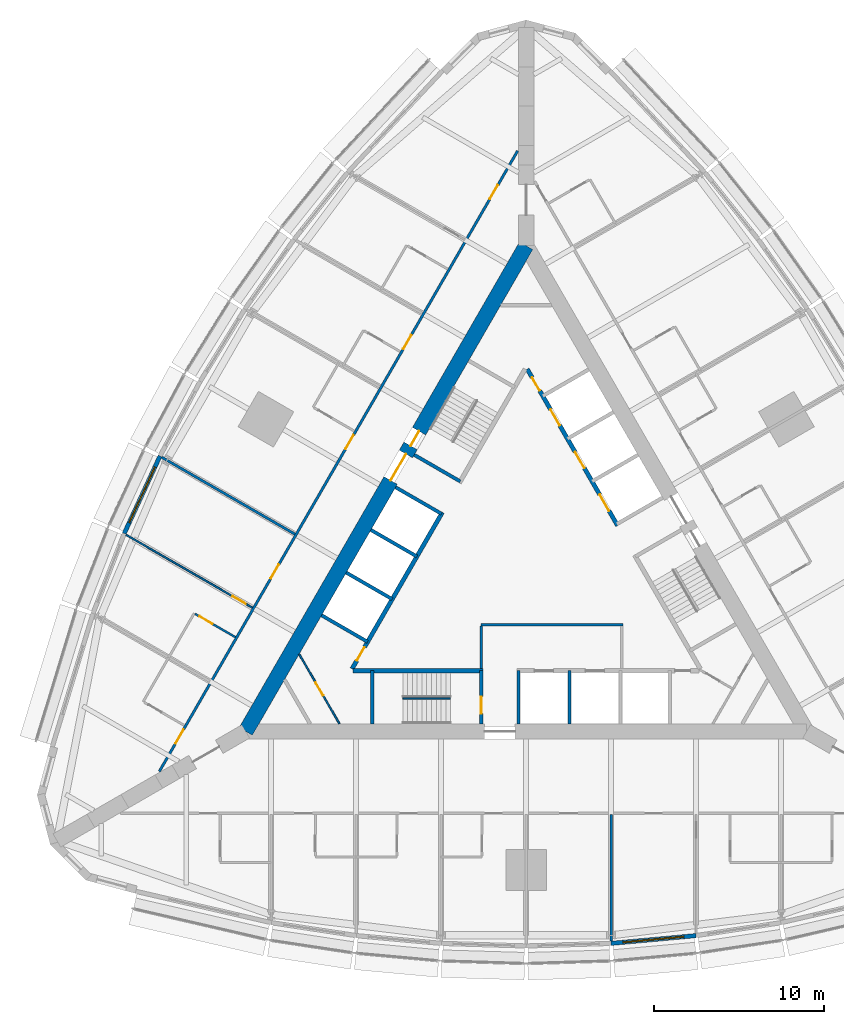
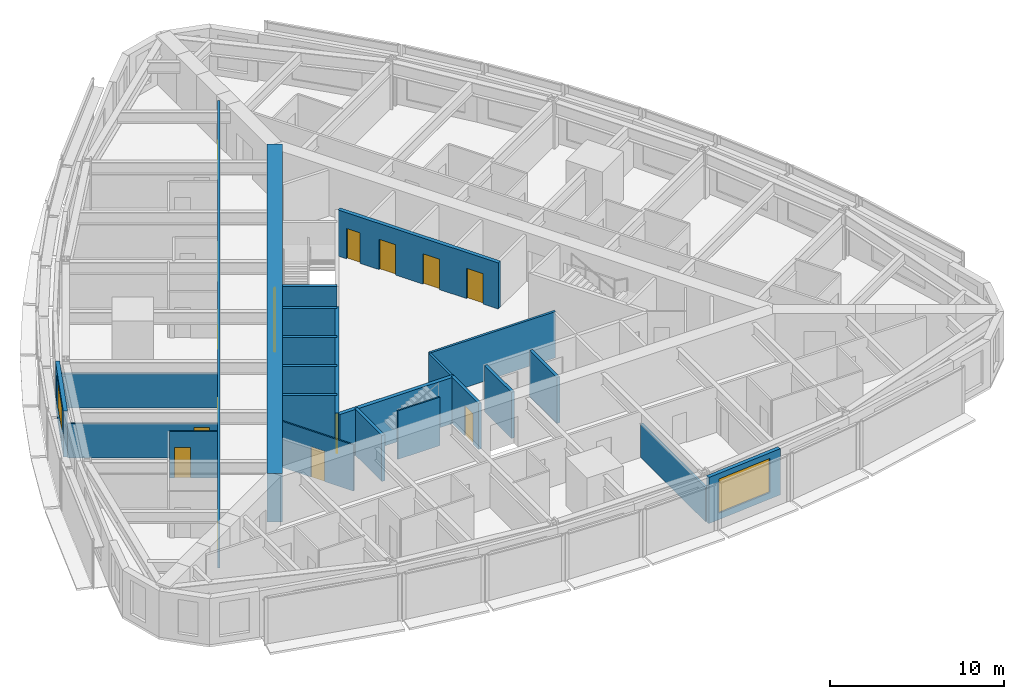
# One storey, part 9 of 14: 24 walls, 16 doors, 2 windows, 18 openings.
"""IFC4 building model written with IfcOpenShell, lengths in metres."""

from ifc_helpers import new_model, si_unit, direction, frame, frame_2d, origin, place, context, subcontext, project, spatial, rectangle, extrude, material, layer, layer_set, type_object, element, fill, save


model = new_model("IFC4")

# Units and contexts
model_context = context("Model", 3, precision=1e-05, world=origin(), true_north=direction((0.0, 1.0)))
body_context = subcontext(model_context, "Body", "Model", "MODEL_VIEW")
ifc_project = project(units=[si_unit("LENGTHUNIT", "METRE"), si_unit("AREAUNIT", "SQUARE_METRE"), si_unit("VOLUMEUNIT", "CUBIC_METRE"), si_unit("PLANEANGLEUNIT", "RADIAN"), si_unit("MASSUNIT", "GRAM", prefix="KILO")], contexts=[model_context])

# Site, building, storey
site_placement = place(None, origin())
site = spatial("IfcSite", under=ifc_project, at=site_placement, CompositionType="ELEMENT")
building_placement = place(site_placement, origin())
building = spatial("IfcBuilding", under=site, at=building_placement, Name="Trikona Tower", CompositionType="ELEMENT")
storey_placement = place(building_placement, frame((0.0, 0.0, 65.89990234375)))
storey = spatial("IfcBuildingStorey", under=building, at=storey_placement, Name="L16", CompositionType="ELEMENT", Elevation=65.89990234375)

# Wall, opening, door
ifc_material_1 = material(Name="Metal stud and cement board", Category="gypsum")
ifc_layer_1 = layer(ifc_material_1, 0.1201171875)
ifc_layer_set_1 = layer_set([ifc_layer_1], Name="Bathroom wall 120")
wall_type_1 = type_object("IfcWallType", Name="Bathroom wall 120", PredefinedType="PLUMBINGWALL", material=ifc_layer_set_1)
wall_1_placement = place(storey_placement, frame((-17.10791015625, -3.979248046875, 0.0), z_axis=(0.0, 0.0, 1.0), x_axis=(-0.865997131366, 0.500048966069, 0.0)))
wall_1 = element("IfcWall", 1, at=wall_1_placement, inside=storey, type_object=wall_type_1, Name="Bathroom wall 1616.1", PredefinedType="PLUMBINGWALL", context=body_context, shape_type="SweptSolid", body=[
    extrude(rectangle(XDim=2.739990234375, YDim=0.1201171875, at=frame_2d((1.3701171875, 0.0))), origin(), (0.0, 0.0, 1.0), 3.235107421875),
])
opening_1_placement = place(wall_1_placement, frame((1.550048828125, 0.0, 0.0)))
opening_1 = element("IfcOpeningElement", 2, at=opening_1_placement, cuts=wall_1, Name="Opening D2", PredefinedType="OPENING", context=body_context, shape_type="SweptSolid", body=[
    extrude(rectangle(XDim=0.89990234375, YDim=2.1298828125, at=frame_2d((0.449951171875, 1.06494140625))), frame((0.0, 0.070068359375, 0.0), z_axis=(0.0, -1.0, 0.0), x_axis=(1.0, 0.0, 0.0)), (0.0, 0.0, 1.0), 0.14013671875),
])
ifc_material_2 = material(Name="Steel door frame with solid-core timber leaf", Category="steel")
door_type_1 = type_object("IfcDoorType", Name="Bathroom door 900x2130", OperationType="SLIDING_TO_LEFT", PredefinedType="DOOR", material=ifc_material_2)
door_1_placement = place(opening_1_placement, origin())
door_1 = element("IfcDoor", 3, at=door_1_placement, inside=storey, type_object=door_type_1, Name="Bathroom door 1616.1", OperationType="SLIDING_TO_LEFT", OverallHeight=2.1298828125, OverallWidth=0.89990234375, PredefinedType="DOOR", context=body_context, shape_type="SweptSolid", body=[
    extrude(rectangle(XDim=0.89990234375, YDim=2.1298828125, at=frame_2d((0.449951171875, 1.06494140625))), frame((0.0, 0.02490234375, 0.0), z_axis=(0.0, -1.0, 0.0), x_axis=(1.0, 0.0, 0.0)), (0.0, 0.0, 1.0), 0.050048828125),
])
fill(opening_1, door_1)

# Wall, openings, doors
ifc_material_3 = material(Name="Concrete f'c 10000 psi", Category="concrete")
ifc_layer_2 = layer(ifc_material_3, 0.89990234375)
ifc_layer_set_2 = layer_set([ifc_layer_2], Name="Core wall 900")
wall_type_2 = type_object("IfcWallType", Name="Core wall 900", PredefinedType="SHEAR", material=ifc_layer_set_2)
wall_2_placement = place(storey_placement, frame((0.0, 19.052490234375, 0.0), z_axis=(0.0, 0.0, 1.0), x_axis=(-0.499999749417, -0.866025548458, 0.0)))
wall_2 = element("IfcWall", 4, at=wall_2_placement, inside=storey, type_object=wall_type_2, Name="Core wall C", PredefinedType="SHEAR", context=body_context, shape_type="SweptSolid", body=[
    extrude(rectangle(XDim=33.0, YDim=0.89990234375, at=frame_2d((16.5, 0.0))), origin(), (0.0, 0.0, 1.0), 3.400146484375),
])
opening_2_placement = place(wall_2_placement, frame((14.14990234375, 0.0, 0.0)))
opening_2 = element("IfcOpeningElement", 5, at=opening_2_placement, cuts=wall_2, Name="Opening D6", PredefinedType="OPENING", context=body_context, shape_type="SweptSolid", body=[
    extrude(rectangle(XDim=1.800048828125, YDim=2.1298828125, at=frame_2d((0.89990234375, 1.06494140625))), frame((0.0, 0.4599609375, 0.0), z_axis=(0.0, -1.0, 0.0), x_axis=(1.0, 0.0, 0.0)), (0.0, 0.0, 1.0), 0.919921875),
])
opening_3_placement = place(wall_2_placement, frame((12.60009765625, 0.0, 0.0)))
opening_3 = element("IfcOpeningElement", 6, at=opening_3_placement, cuts=wall_2, Name="Opening D5", PredefinedType="OPENING", context=body_context, shape_type="SweptSolid", body=[
    extrude(rectangle(XDim=1.0, YDim=2.1298828125, at=frame_2d((0.5, 1.06494140625))), frame((0.0, 0.4599609375, 0.0), z_axis=(0.0, -1.0, 0.0), x_axis=(1.0, 0.0, 0.0)), (0.0, 0.0, 1.0), 0.919921875),
])
ifc_material_4 = material(Name="Hollow metal door and frame", Category="steel")
door_type_2 = type_object("IfcDoorType", Name="Lobby door pair 1800x2130", OperationType="DOUBLE_DOOR_SINGLE_SWING", PredefinedType="DOOR", material=ifc_material_4)
door_2_placement = place(opening_2_placement, origin())
door_2 = element("IfcDoor", 7, at=door_2_placement, inside=storey, type_object=door_type_2, Name="Lift lobby door C", OperationType="DOUBLE_DOOR_SINGLE_SWING", OverallHeight=2.1298828125, OverallWidth=1.800048828125, PredefinedType="DOOR", context=body_context, shape_type="SweptSolid", body=[
    extrude(rectangle(XDim=1.800048828125, YDim=2.1298828125, at=frame_2d((0.89990234375, 1.06494140625))), frame((0.0, 0.02490234375, 0.0), z_axis=(0.0, -1.0, 0.0), x_axis=(1.0, 0.0, 0.0)), (0.0, 0.0, 1.0), 0.050048828125),
])
fill(opening_2, door_2)
ifc_material_5 = material(Name="Hollow metal door and frame", Category="steel")
door_type_3 = type_object("IfcDoorType", Name="Stair door 1000x2130", OperationType="SINGLE_SWING_LEFT", PredefinedType="DOOR", material=ifc_material_5)
door_3_placement = place(opening_3_placement, origin())
door_3 = element("IfcDoor", 8, at=door_3_placement, inside=storey, type_object=door_type_3, Name="Stair C door", OperationType="SINGLE_SWING_RIGHT", OverallHeight=2.1298828125, OverallWidth=1.0, PredefinedType="DOOR", context=body_context, shape_type="SweptSolid", body=[
    extrude(rectangle(XDim=1.0, YDim=2.1298828125, at=frame_2d((0.5, 1.06494140625))), frame((0.0, 0.02490234375, 0.0), z_axis=(0.0, -1.0, 0.0), x_axis=(1.0, 0.0, 0.0)), (0.0, 0.0, 1.0), 0.050048828125),
])
fill(opening_3, door_3)

ifc_material_6 = material(Name="Metal stud and gypsum board, 1-hour", Category="gypsum")
ifc_layer_3 = layer(ifc_material_6, 0.14990234375)
ifc_layer_set_3 = layer_set([ifc_layer_3], Name="Corridor wall 150")
wall_type_3 = type_object("IfcWallType", Name="Corridor wall 150", PredefinedType="PARTITIONING", material=ifc_layer_set_3)
wall_3_placement = place(storey_placement, frame((-0.5, 24.636474609375, 0.0), z_axis=(0.0, 0.0, 1.0), x_axis=(-0.500001915564, -0.86602429783, 0.0)))
wall_3 = element("IfcWall", 9, at=wall_3_placement, inside=storey, type_object=wall_type_3, Name="Corridor wall L16-3", PredefinedType="PARTITIONING", context=body_context, shape_type="SweptSolid", body=[
    extrude(rectangle(XDim=42.171630859375, YDim=0.14990234375, at=frame_2d((21.0859375, 0.0))), origin(), (0.0, 0.0, 1.0), 3.235107421875),
])
opening_4_placement = place(wall_3_placement, frame((2.337646484375, 0.0, 0.0)))
opening_4 = element("IfcOpeningElement", 10, at=opening_4_placement, cuts=wall_3, Name="Opening D1", PredefinedType="OPENING", context=body_context, shape_type="SweptSolid", body=[
    extrude(rectangle(XDim=0.949951171875, YDim=2.1298828125, at=frame_2d((0.47509765625, 1.06494140625))), frame((0.0, 0.0849609375, 0.0), z_axis=(0.0, -1.0, 0.0), x_axis=(1.0, 0.0, 0.0)), (0.0, 0.0, 1.0), 0.169921875),
])
opening_5_placement = place(wall_3_placement, frame((12.510986328125, 0.0, 0.0)))
opening_5 = element("IfcOpeningElement", 11, at=opening_5_placement, cuts=wall_3, Name="Opening D1", PredefinedType="OPENING", context=body_context, shape_type="SweptSolid", body=[
    extrude(rectangle(XDim=0.949951171875, YDim=2.1298828125, at=frame_2d((0.47509765625, 1.06494140625))), frame((0.0, 0.0849609375, 0.0), z_axis=(0.0, -1.0, 0.0), x_axis=(1.0, 0.0, 0.0)), (0.0, 0.0, 1.0), 0.169921875),
])
opening_6_placement = place(wall_3_placement, frame((19.310791015625, 0.0, 0.0)))
opening_6 = element("IfcOpeningElement", 12, at=opening_6_placement, cuts=wall_3, Name="Opening D1", PredefinedType="OPENING", context=body_context, shape_type="SweptSolid", body=[
    extrude(rectangle(XDim=0.949951171875, YDim=2.1298828125, at=frame_2d((0.47509765625, 1.06494140625))), frame((0.0, 0.0849609375, 0.0), z_axis=(0.0, -1.0, 0.0), x_axis=(1.0, 0.0, 0.0)), (0.0, 0.0, 1.0), 0.169921875),
])
opening_7_placement = place(wall_3_placement, frame((28.11083984375, 0.0, 0.0)))
opening_7 = element("IfcOpeningElement", 13, at=opening_7_placement, cuts=wall_3, Name="Opening D1", PredefinedType="OPENING", context=body_context, shape_type="SweptSolid", body=[
    extrude(rectangle(XDim=0.949951171875, YDim=2.1298828125, at=frame_2d((0.47509765625, 1.06494140625))), frame((0.0, 0.0849609375, 0.0), z_axis=(0.0, -1.0, 0.0), x_axis=(1.0, 0.0, 0.0)), (0.0, 0.0, 1.0), 0.169921875),
])
opening_8_placement = place(wall_3_placement, frame((39.310791015625, 0.0, 0.0)))
opening_8 = element("IfcOpeningElement", 14, at=opening_8_placement, cuts=wall_3, Name="Opening D1", PredefinedType="OPENING", context=body_context, shape_type="SweptSolid", body=[
    extrude(rectangle(XDim=0.949951171875, YDim=2.1298828125, at=frame_2d((0.47509765625, 1.06494140625))), frame((0.0, 0.0849609375, 0.0), z_axis=(0.0, -1.0, 0.0), x_axis=(1.0, 0.0, 0.0)), (0.0, 0.0, 1.0), 0.169921875),
])
ifc_material_7 = material(Name="Steel door frame with solid-core timber leaf", Category="steel")
door_type_4 = type_object("IfcDoorType", Name="Guest room door 950x2130", OperationType="SINGLE_SWING_LEFT", PredefinedType="DOOR", material=ifc_material_7)
door_4_placement = place(opening_4_placement, origin())
door_4 = element("IfcDoor", 15, at=door_4_placement, inside=storey, type_object=door_type_4, Name="Room door 1613", OperationType="SINGLE_SWING_LEFT", OverallHeight=2.1298828125, OverallWidth=0.949951171875, PredefinedType="DOOR", context=body_context, shape_type="SweptSolid", body=[
    extrude(rectangle(XDim=0.949951171875, YDim=2.1298828125, at=frame_2d((0.47509765625, 1.06494140625))), frame((0.0, 0.02490234375, 0.0), z_axis=(0.0, -1.0, 0.0), x_axis=(1.0, 0.0, 0.0)), (0.0, 0.0, 1.0), 0.050048828125),
])
fill(opening_4, door_4)
door_5_placement = place(opening_5_placement, origin())
door_5 = element("IfcDoor", 16, at=door_5_placement, inside=storey, type_object=door_type_4, Name="Room door 1614", OperationType="SINGLE_SWING_RIGHT", OverallHeight=2.1298828125, OverallWidth=0.949951171875, PredefinedType="DOOR", context=body_context, shape_type="SweptSolid", body=[
    extrude(rectangle(XDim=0.949951171875, YDim=2.1298828125, at=frame_2d((0.47509765625, 1.06494140625))), frame((0.0, 0.02490234375, 0.0), z_axis=(0.0, -1.0, 0.0), x_axis=(1.0, 0.0, 0.0)), (0.0, 0.0, 1.0), 0.050048828125),
])
fill(opening_5, door_5)
door_6_placement = place(opening_6_placement, origin())
door_6 = element("IfcDoor", 17, at=door_6_placement, inside=storey, type_object=door_type_4, Name="Room door 1615", OperationType="SINGLE_SWING_LEFT", OverallHeight=2.1298828125, OverallWidth=0.949951171875, PredefinedType="DOOR", context=body_context, shape_type="SweptSolid", body=[
    extrude(rectangle(XDim=0.949951171875, YDim=2.1298828125, at=frame_2d((0.47509765625, 1.06494140625))), frame((0.0, 0.02490234375, 0.0), z_axis=(0.0, -1.0, 0.0), x_axis=(1.0, 0.0, 0.0)), (0.0, 0.0, 1.0), 0.050048828125),
])
fill(opening_6, door_6)
door_7_placement = place(opening_7_placement, origin())
door_7 = element("IfcDoor", 18, at=door_7_placement, inside=storey, type_object=door_type_4, Name="Room door 1616", OperationType="SINGLE_SWING_RIGHT", OverallHeight=2.1298828125, OverallWidth=0.949951171875, PredefinedType="DOOR", context=body_context, shape_type="SweptSolid", body=[
    extrude(rectangle(XDim=0.949951171875, YDim=2.1298828125, at=frame_2d((0.47509765625, 1.06494140625))), frame((0.0, 0.02490234375, 0.0), z_axis=(0.0, -1.0, 0.0), x_axis=(1.0, 0.0, 0.0)), (0.0, 0.0, 1.0), 0.050048828125),
])
fill(opening_7, door_7)
door_8_placement = place(opening_8_placement, origin())
door_8 = element("IfcDoor", 19, at=door_8_placement, inside=storey, type_object=door_type_4, Name="Room door 1617", OperationType="SINGLE_SWING_RIGHT", OverallHeight=2.1298828125, OverallWidth=0.949951171875, PredefinedType="DOOR", context=body_context, shape_type="SweptSolid", body=[
    extrude(rectangle(XDim=0.949951171875, YDim=2.1298828125, at=frame_2d((0.47509765625, 1.06494140625))), frame((0.0, 0.02490234375, 0.0), z_axis=(0.0, -1.0, 0.0), x_axis=(1.0, 0.0, 0.0)), (0.0, 0.0, 1.0), 0.050048828125),
])
fill(opening_8, door_8)

# Wall
ifc_material_8 = material(Name="Concrete f'c 8000 psi", Category="concrete")
ifc_layer_4 = layer(ifc_material_8, 0.25)
ifc_layer_set_4 = layer_set([ifc_layer_4], Name="Hub wall 250")
wall_type_4 = type_object("IfcWallType", Name="Hub wall 250", PredefinedType="SOLIDWALL", material=ifc_layer_set_4)
wall_4_placement = place(storey_placement, frame((-10.182861328125, -5.951416015625, 0.0), z_axis=(0.0, 0.0, 1.0), x_axis=(1.0, 0.0, 0.0)))
element("IfcWall", 20, at=wall_4_placement, inside=storey, type_object=wall_type_4, Name="Lift lobby wall A1", PredefinedType="SOLIDWALL", context=body_context, shape_type="SweptSolid", body=[
    extrude(rectangle(XDim=7.6328125, YDim=0.25, at=frame_2d((3.81640625, 0.0))), origin(), (0.0, 0.0, 1.0), 3.235107421875),
])

# Wall, openings, doors
wall_5_placement = place(storey_placement, frame((5.37890625, 2.5859375, 0.0), z_axis=(0.0, 0.0, 1.0), x_axis=(-0.500001375892, 0.866024609411, 0.0)))
wall_5 = element("IfcWall", 21, at=wall_5_placement, inside=storey, type_object=wall_type_4, Name="Lift lobby wall B2", PredefinedType="SOLIDWALL", context=body_context, shape_type="SweptSolid", body=[
    extrude(rectangle(XDim=10.6328125, YDim=0.25, at=frame_2d((5.31640625, 0.0))), origin(), (0.0, 0.0, 1.0), 3.235107421875),
])
opening_9_placement = place(wall_5_placement, frame((9.1640625, 0.0, 0.0)))
opening_9 = element("IfcOpeningElement", 22, at=opening_9_placement, cuts=wall_5, Name="Opening D14", PredefinedType="OPENING", context=body_context, shape_type="SweptSolid", body=[
    extrude(rectangle(XDim=0.89990234375, YDim=2.1298828125, at=frame_2d((0.449951171875, 1.06494140625))), frame((0.0, 0.135009765625, 0.0), z_axis=(0.0, -1.0, 0.0), x_axis=(1.0, 0.0, 0.0)), (0.0, 0.0, 1.0), 0.27001953125),
])
opening_10_placement = place(wall_5_placement, frame((1.0, 0.0, 0.0)))
opening_10 = element("IfcOpeningElement", 23, at=opening_10_placement, cuts=wall_5, Name="Opening LD", PredefinedType="OPENING", context=body_context, shape_type="SweptSolid", body=[
    extrude(rectangle(XDim=1.10009765625, YDim=2.1298828125, at=frame_2d((0.550048828125, 1.06494140625))), frame((0.0, 0.135009765625, 0.0), z_axis=(0.0, -1.0, 0.0), x_axis=(1.0, 0.0, 0.0)), (0.0, 0.0, 1.0), 0.27001953125),
])
opening_11_placement = place(wall_5_placement, frame((3.89990234375, 0.0, 0.0)))
opening_11 = element("IfcOpeningElement", 24, at=opening_11_placement, cuts=wall_5, Name="Opening LD", PredefinedType="OPENING", context=body_context, shape_type="SweptSolid", body=[
    extrude(rectangle(XDim=1.10009765625, YDim=2.1298828125, at=frame_2d((0.550048828125, 1.06494140625))), frame((0.0, 0.135009765625, 0.0), z_axis=(0.0, -1.0, 0.0), x_axis=(1.0, 0.0, 0.0)), (0.0, 0.0, 1.0), 0.27001953125),
])
opening_12_placement = place(wall_5_placement, frame((6.800048828125, 0.0, 0.0)))
opening_12 = element("IfcOpeningElement", 25, at=opening_12_placement, cuts=wall_5, Name="Opening LD", PredefinedType="OPENING", context=body_context, shape_type="SweptSolid", body=[
    extrude(rectangle(XDim=1.10009765625, YDim=2.1298828125, at=frame_2d((0.550048828125, 1.06494140625))), frame((0.0, 0.135009765625, 0.0), z_axis=(0.0, -1.0, 0.0), x_axis=(1.0, 0.0, 0.0)), (0.0, 0.0, 1.0), 0.27001953125),
])
ifc_material_9 = material(Name="Stainless steel lift landing door", Category="steel")
door_type_5 = type_object("IfcDoorType", Name="Lift landing door 1100x2130", OperationType="DOUBLE_DOOR_SLIDING", PredefinedType="USERDEFINED", material=ifc_material_9)
door_9_placement = place(opening_10_placement, origin())
door_9 = element("IfcDoor", 26, at=door_9_placement, inside=storey, type_object=door_type_5, Name="Lift landing door L1-1", ObjectType="LIFT LANDING DOOR", OperationType="DOUBLE_DOOR_SLIDING", OverallHeight=2.1298828125, OverallWidth=1.10009765625, PredefinedType="USERDEFINED", context=body_context, shape_type="SweptSolid", body=[
    extrude(rectangle(XDim=1.10009765625, YDim=2.1298828125, at=frame_2d((0.550048828125, 1.06494140625))), frame((0.0, 0.02490234375, 0.0), z_axis=(0.0, -1.0, 0.0), x_axis=(1.0, 0.0, 0.0)), (0.0, 0.0, 1.0), 0.050048828125),
])
fill(opening_10, door_9)
door_10_placement = place(opening_11_placement, origin())
door_10 = element("IfcDoor", 27, at=door_10_placement, inside=storey, type_object=door_type_5, Name="Lift landing door L1-2", ObjectType="LIFT LANDING DOOR", OperationType="DOUBLE_DOOR_SLIDING", OverallHeight=2.1298828125, OverallWidth=1.10009765625, PredefinedType="USERDEFINED", context=body_context, shape_type="SweptSolid", body=[
    extrude(rectangle(XDim=1.10009765625, YDim=2.1298828125, at=frame_2d((0.550048828125, 1.06494140625))), frame((0.0, 0.02490234375, 0.0), z_axis=(0.0, -1.0, 0.0), x_axis=(1.0, 0.0, 0.0)), (0.0, 0.0, 1.0), 0.050048828125),
])
fill(opening_11, door_10)
door_11_placement = place(opening_12_placement, origin())
door_11 = element("IfcDoor", 28, at=door_11_placement, inside=storey, type_object=door_type_5, Name="Lift landing door L1-3", ObjectType="LIFT LANDING DOOR", OperationType="DOUBLE_DOOR_SLIDING", OverallHeight=2.1298828125, OverallWidth=1.10009765625, PredefinedType="USERDEFINED", context=body_context, shape_type="SweptSolid", body=[
    extrude(rectangle(XDim=1.10009765625, YDim=2.1298828125, at=frame_2d((0.550048828125, 1.06494140625))), frame((0.0, 0.02490234375, 0.0), z_axis=(0.0, -1.0, 0.0), x_axis=(1.0, 0.0, 0.0)), (0.0, 0.0, 1.0), 0.050048828125),
])
fill(opening_12, door_11)
ifc_material_10 = material(Name="Hollow metal door and frame", Category="steel")
door_type_6 = type_object("IfcDoorType", Name="Service room door 900x2130", OperationType="SINGLE_SWING_LEFT", PredefinedType="DOOR", material=ifc_material_10)
door_12_placement = place(opening_9_placement, origin())
door_12 = element("IfcDoor", 29, at=door_12_placement, inside=storey, type_object=door_type_6, Name="Door Ice and vending ICE", OperationType="SINGLE_SWING_RIGHT", OverallHeight=2.1298828125, OverallWidth=0.89990234375, PredefinedType="DOOR", context=body_context, shape_type="SweptSolid", body=[
    extrude(rectangle(XDim=0.89990234375, YDim=2.1298828125, at=frame_2d((0.449951171875, 1.06494140625))), frame((0.0, 0.02490234375, 0.0), z_axis=(0.0, -1.0, 0.0), x_axis=(1.0, 0.0, 0.0)), (0.0, 0.0, 1.0), 0.050048828125),
])
fill(opening_9, door_12)

# Wall, opening, door
wall_6_placement = place(storey_placement, frame((-4.928955078125, 3.365478515625, 0.0), z_axis=(0.0, 0.0, 1.0), x_axis=(-0.499991433582, -0.866030349552, 0.0)))
wall_6 = element("IfcWall", 30, at=wall_6_placement, inside=storey, type_object=wall_type_4, Name="Lift lobby wall C2", PredefinedType="SOLIDWALL", context=body_context, shape_type="SweptSolid", body=[
    extrude(rectangle(XDim=10.633056640625, YDim=0.25, at=frame_2d((5.31640625, 0.0))), origin(), (0.0, 0.0, 1.0), 3.235107421875),
])
opening_13_placement = place(wall_6_placement, frame((9.1640625, 0.0, 0.0)))
opening_13 = element("IfcOpeningElement", 31, at=opening_13_placement, cuts=wall_6, Name="Opening D14", PredefinedType="OPENING", context=body_context, shape_type="SweptSolid", body=[
    extrude(rectangle(XDim=0.89990234375, YDim=2.1298828125, at=frame_2d((0.449951171875, 1.06494140625))), frame((0.0, 0.135009765625, 0.0), z_axis=(0.0, -1.0, 0.0), x_axis=(1.0, 0.0, 0.0)), (0.0, 0.0, 1.0), 0.27001953125),
])
door_13_placement = place(opening_13_placement, origin())
door_13 = element("IfcDoor", 32, at=door_13_placement, inside=storey, type_object=door_type_6, Name="Door Housekeeping store HKS", OperationType="SINGLE_SWING_RIGHT", OverallHeight=2.1298828125, OverallWidth=0.89990234375, PredefinedType="DOOR", context=body_context, shape_type="SweptSolid", body=[
    extrude(rectangle(XDim=0.89990234375, YDim=2.1298828125, at=frame_2d((0.449951171875, 1.06494140625))), frame((0.0, 0.02490234375, 0.0), z_axis=(0.0, -1.0, 0.0), x_axis=(1.0, 0.0, 0.0)), (0.0, 0.0, 1.0), 0.050048828125),
])
fill(opening_13, door_13)

# Wall, opening, window
ifc_material_11 = material(Name="Insulated precast concrete spandrel panel", Category="concrete")
ifc_layer_5 = layer(ifc_material_11, 0.25)
ifc_layer_set_5 = layer_set([ifc_layer_5], Name="Inner skin wall 250")
wall_type_5 = type_object("IfcWallType", Name="Inner skin wall 250", PredefinedType="STANDARD", material=ifc_layer_set_5)
wall_7_placement = place(storey_placement, frame((4.988525390625, -21.995849609375, 0.0), z_axis=(0.0, 0.0, 1.0), x_axis=(0.995857256774, 0.090930325692, 0.0)))
wall_7 = element("IfcWall", 33, at=wall_7_placement, inside=storey, type_object=wall_type_5, Name="External wall L16-05", PredefinedType="STANDARD", context=body_context, shape_type="SweptSolid", body=[
    extrude(rectangle(XDim=5.020751953125, YDim=0.25, at=frame_2d((2.51025390625, 0.0))), origin(), (0.0, 0.0, 1.0), 3.235107421875),
])
opening_14_placement = place(wall_7_placement, frame((0.71044921875, 0.0, 0.449951171875)))
opening_14 = element("IfcOpeningElement", 34, at=opening_14_placement, cuts=wall_7, Name="Opening W3624", PredefinedType="OPENING", context=body_context, shape_type="SweptSolid", body=[
    extrude(rectangle(XDim=3.60009765625, YDim=2.39990234375, at=frame_2d((1.800048828125, 1.199951171875))), frame((0.0, 0.135009765625, 0.0), z_axis=(0.0, -1.0, 0.0), x_axis=(1.0, 0.0, 0.0)), (0.0, 0.0, 1.0), 0.27001953125),
])
ifc_material_12 = material(Name="Aluminium-framed double glazing", Category="aluminium")
window_type = type_object("IfcWindowType", Name="Window 3600x2400", PartitioningType="SINGLE_PANEL", PredefinedType="WINDOW", material=ifc_material_12)
window_1_placement = place(opening_14_placement, origin())
window_1 = element("IfcWindow", 35, at=window_1_placement, inside=storey, type_object=window_type, Name="Window 1605", OverallHeight=2.39990234375, OverallWidth=3.60009765625, PartitioningType="SINGLE_PANEL", PredefinedType="WINDOW", context=body_context, shape_type="SweptSolid", body=[
    extrude(rectangle(XDim=3.60009765625, YDim=2.39990234375, at=frame_2d((1.800048828125, 1.199951171875))), frame((0.0, 0.030029296875, 0.0), z_axis=(0.0, -1.0, 0.0), x_axis=(1.0, 0.0, 0.0)), (0.0, 0.0, 1.0), 0.06005859375),
])
fill(opening_14, window_1)

wall_8_placement = place(storey_placement, frame((-21.543212890625, 6.677734375, 0.0), z_axis=(0.0, 0.0, 1.0), x_axis=(-0.419203100754, -0.907892482796, 0.0)))
wall_8 = element("IfcWall", 36, at=wall_8_placement, inside=storey, type_object=wall_type_5, Name="External wall L16-29", PredefinedType="STANDARD", context=body_context, shape_type="SweptSolid", body=[
    extrude(rectangle(XDim=5.020751953125, YDim=0.25, at=frame_2d((2.51025390625, 0.0))), origin(), (0.0, 0.0, 1.0), 3.235107421875),
])
opening_15_placement = place(wall_8_placement, frame((0.71044921875, 0.0, 0.449951171875)))
opening_15 = element("IfcOpeningElement", 37, at=opening_15_placement, cuts=wall_8, Name="Opening W3624", PredefinedType="OPENING", context=body_context, shape_type="SweptSolid", body=[
    extrude(rectangle(XDim=3.60009765625, YDim=2.39990234375, at=frame_2d((1.800048828125, 1.199951171875))), frame((0.0, 0.135009765625, 0.0), z_axis=(0.0, -1.0, 0.0), x_axis=(1.0, 0.0, 0.0)), (0.0, 0.0, 1.0), 0.27001953125),
])
window_2_placement = place(opening_15_placement, origin())
window_2 = element("IfcWindow", 38, at=window_2_placement, inside=storey, type_object=window_type, Name="Window 1616", OverallHeight=2.39990234375, OverallWidth=3.60009765625, PartitioningType="SINGLE_PANEL", PredefinedType="WINDOW", context=body_context, shape_type="SweptSolid", body=[
    extrude(rectangle(XDim=3.60009765625, YDim=2.39990234375, at=frame_2d((1.800048828125, 1.199951171875))), frame((0.0, 0.030029296875, 0.0), z_axis=(0.0, -1.0, 0.0), x_axis=(1.0, 0.0, 0.0)), (0.0, 0.0, 1.0), 0.06005859375),
])
fill(opening_15, window_2)

# Walls
ifc_material_13 = material(Name="Metal stud and gypsum board, 2-hour shaft wall", Category="gypsum")
ifc_layer_6 = layer(ifc_material_13, 0.14990234375)
ifc_layer_set_6 = layer_set([ifc_layer_6], Name="Lobby wall 150")
wall_type_6 = type_object("IfcWallType", Name="Lobby wall 150", PredefinedType="PARTITIONING", material=ifc_layer_set_6)
wall_9_placement = place(storey_placement, frame((-2.64990234375, -3.251220703125, 0.0), z_axis=(0.0, 0.0, 1.0), x_axis=(1.0, 0.0, 0.0)))
element("IfcWall", 39, at=wall_9_placement, inside=storey, type_object=wall_type_6, Name="Fire service lift lobby wall 1", PredefinedType="PARTITIONING", context=body_context, shape_type="SweptSolid", body=[
    extrude(rectangle(XDim=8.349853515625, YDim=0.14990234375, at=frame_2d((4.1748046875, 0.0))), origin(), (0.0, 0.0, 1.0), 3.235107421875),
])
wall_10_placement = place(storey_placement, frame((-2.64990234375, -5.826416015625, 0.0), z_axis=(0.0, 0.0, 1.0), x_axis=(0.0, 1.0, 0.0)))
element("IfcWall", 40, at=wall_10_placement, inside=storey, type_object=wall_type_6, Name="Fire service lift lobby wall 2", PredefinedType="PARTITIONING", context=body_context, shape_type="SweptSolid", body=[
    extrude(rectangle(XDim=2.5, YDim=0.14990234375, at=frame_2d((1.25, 0.0))), origin(), (0.0, 0.0, 1.0), 3.235107421875),
])
ifc_material_14 = material(Name="Metal stud and gypsum board, 1-hour acoustic", Category="gypsum")
ifc_layer_7 = layer(ifc_material_14, 0.14990234375)
ifc_layer_set_7 = layer_set([ifc_layer_7], Name="Party wall 150")
wall_type_7 = type_object("IfcWallType", Name="Party wall 150", PredefinedType="PARTITIONING", material=ifc_layer_set_7)
wall_11_placement = place(storey_placement, frame((5.0, -14.42626953125, 0.0), z_axis=(0.0, 0.0, 1.0), x_axis=(0.0, -1.0, 0.0)))
element("IfcWall", 41, at=wall_11_placement, inside=storey, type_object=wall_type_7, Name="Partition L16 F1 u5", PredefinedType="PARTITIONING", context=body_context, shape_type="SweptSolid", body=[
    extrude(rectangle(XDim=7.443115234375, YDim=0.14990234375, at=frame_2d((3.7216796875, 0.0))), origin(), (0.0, 0.0, 1.0), 2.389404296875),
])
wall_12_placement = place(storey_placement, frame((-13.60791015625, 2.0830078125, 0.0), z_axis=(0.0, 0.0, 1.0), x_axis=(-0.866028232062, 0.499995101247, 0.0)))
element("IfcWall", 42, at=wall_12_placement, inside=storey, type_object=wall_type_7, Name="Partition L16 F3 u5", PredefinedType="PARTITIONING", context=body_context, shape_type="SweptSolid", body=[
    extrude(rectangle(XDim=9.04296875, YDim=0.14990234375, at=frame_2d((4.521484375, 0.0))), origin(), (0.0, 0.0, 1.0), 2.389404296875),
])
ifc_material_15 = material(Name="Concrete f'c 8000 psi", Category="concrete")
ifc_layer_8 = layer(ifc_material_15, 0.199951171875)
ifc_layer_set_8 = layer_set([ifc_layer_8], Name="Shaft wall 200")
wall_type_8 = type_object("IfcWallType", Name="Shaft wall 200", PredefinedType="SOLIDWALL", material=ifc_layer_set_8)
for number, where, z_axis, x_axis, name in (
    (43, (-0.449951171875, -5.951416015625, 0.0), (0.0, 0.0, 1.0), (0.0, -1.0, 0.0), "Shaft wall A3"),
    (44, (2.550048828125, -5.951416015625, 0.0), (0.0, 0.0, 1.0), (0.0, -1.0, 0.0), "Shaft wall A4"),
    (45, (-4.97900390625, 3.27880859375, 0.0), (0.0, 0.0, 1.0), (-0.866022959057, 0.500004234368, 0.0), "Shaft wall C3"),
    (46, (-6.428955078125, 0.767333984375, 0.0), (0.0, 0.0, 1.0), (-0.866022959057, 0.500004234368, 0.0), "Shaft wall C4"),
    (47, (-7.87890625, -1.744140625, 0.0), (0.0, 0.0, 1.0), (-0.866022959057, 0.500004234368, 0.0), "Shaft wall C5"),
    (48, (-9.3291015625, -4.255615234375, 0.0), (0.0, 0.0, 1.0), (-0.866022959057, 0.500004234368, 0.0), "Shaft wall C6"),
):
    element("IfcWall", number, at=place(storey_placement, frame(where, z_axis=z_axis, x_axis=x_axis)), inside=storey, type_object=wall_type_8, Name=name, PredefinedType="SOLIDWALL", context=body_context, shape_type="SweptSolid", body=[
        extrude(rectangle(XDim=3.125, YDim=0.199951171875, at=frame_2d((1.5625, 0.0))), origin(), (0.0, 0.0, 1.0), 3.235107421875),
    ])
ifc_material_16 = material(Name="Concrete f'c 8000 psi", Category="concrete")
ifc_layer_9 = layer(ifc_material_16, 0.199951171875)
ifc_layer_set_9 = layer_set([ifc_layer_9], Name="Shaft wall 200 load-bearing")
wall_type_9 = type_object("IfcWallType", Name="Shaft wall 200 load-bearing", PredefinedType="SOLIDWALL", material=ifc_layer_set_9)
wall_13_placement = place(storey_placement, frame((-9.050048828125, -5.951416015625, 0.0), z_axis=(0.0, 0.0, 1.0), x_axis=(0.0, -1.0, 0.0)))
element("IfcWall", 49, at=wall_13_placement, inside=storey, type_object=wall_type_9, Name="Shaft wall A1", PredefinedType="SOLIDWALL", context=body_context, shape_type="SweptSolid", body=[
    extrude(rectangle(XDim=3.125, YDim=0.199951171875, at=frame_2d((1.5625, 0.0))), origin(), (0.0, 0.0, 1.0), 3.235107421875),
])

# Wall, opening, door
wall_14_placement = place(storey_placement, frame((-2.64990234375, -5.951416015625, 0.0), z_axis=(0.0, 0.0, 1.0), x_axis=(0.0, -1.0, 0.0)))
wall_14 = element("IfcWall", 50, at=wall_14_placement, inside=storey, type_object=wall_type_9, Name="Shaft wall A2", PredefinedType="SOLIDWALL", context=body_context, shape_type="SweptSolid", body=[
    extrude(rectangle(XDim=3.125, YDim=0.199951171875, at=frame_2d((1.5625, 0.0))), origin(), (0.0, 0.0, 1.0), 3.235107421875),
])
opening_16_placement = place(wall_14_placement, frame((1.52490234375, 0.0, 0.0)))
opening_16 = element("IfcOpeningElement", 51, at=opening_16_placement, cuts=wall_14, Name="Opening D5", PredefinedType="OPENING", context=body_context, shape_type="SweptSolid", body=[
    extrude(rectangle(XDim=1.0, YDim=2.1298828125, at=frame_2d((0.5, 1.06494140625))), frame((0.0, 0.10986328125, 0.0), z_axis=(0.0, -1.0, 0.0), x_axis=(1.0, 0.0, 0.0)), (0.0, 0.0, 1.0), 0.219970703125),
])
door_14_placement = place(opening_16_placement, origin())
door_14 = element("IfcDoor", 52, at=door_14_placement, inside=storey, type_object=door_type_3, Name="Stair A door", OperationType="SINGLE_SWING_RIGHT", OverallHeight=2.1298828125, OverallWidth=1.0, PredefinedType="DOOR", context=body_context, shape_type="SweptSolid", body=[
    extrude(rectangle(XDim=1.0, YDim=2.1298828125, at=frame_2d((0.5, 1.06494140625))), frame((0.0, 0.02490234375, 0.0), z_axis=(0.0, -1.0, 0.0), x_axis=(1.0, 0.0, 0.0)), (0.0, 0.0, 1.0), 0.050048828125),
])
fill(opening_16, door_14)

# Walls
wall_15_placement = place(storey_placement, frame((-3.87890625, 5.18408203125, 0.0), z_axis=(0.0, 0.0, 1.0), x_axis=(-0.866022959057, 0.500004234368, 0.0)))
element("IfcWall", 53, at=wall_15_placement, inside=storey, type_object=wall_type_9, Name="Shaft wall C2", PredefinedType="SOLIDWALL", context=body_context, shape_type="SweptSolid", body=[
    extrude(rectangle(XDim=3.125, YDim=0.199951171875, at=frame_2d((1.5625, 0.0))), origin(), (0.0, 0.0, 1.0), 3.235107421875),
])
ifc_material_17 = material(Name="Concrete f'c 5000 psi", Category="concrete")
ifc_layer_10 = layer(ifc_material_17, 0.10009765625)
ifc_layer_set_10 = layer_set([ifc_layer_10], Name="Stair spine wall 100")
wall_type_10 = type_object("IfcWallType", Name="Stair spine wall 100", PredefinedType="SOLIDWALL", material=ifc_layer_set_10)
wall_16_placement = place(storey_placement, frame((-7.2470703125, -7.576416015625, 0.0), z_axis=(0.0, 0.0, 1.0), x_axis=(1.0, 0.0, 0.0)))
element("IfcWall", 54, at=wall_16_placement, inside=storey, type_object=wall_type_10, Name="Stair A spine wall L16", PredefinedType="SOLIDWALL", context=body_context, shape_type="SweptSolid", body=[
    extrude(rectangle(XDim=2.794189453125, YDim=0.10009765625, at=frame_2d((1.39697265625, 0.0))), origin(), (0.0, 0.0, 1.0), 3.400146484375),
])

# Wall, opening, door
ifc_material_18 = material(Name="Metal stud and gypsum board, acoustic", Category="gypsum")
ifc_layer_11 = layer(ifc_material_18, 0.10009765625)
ifc_layer_set_11 = layer_set([ifc_layer_11], Name="Suite partition 100")
wall_type_11 = type_object("IfcWallType", Name="Suite partition 100", PredefinedType="PARTITIONING", material=ifc_layer_set_11)
wall_17_placement = place(storey_placement, frame((-16.10791015625, -2.2470703125, 0.0), z_axis=(0.0, 0.0, 1.0), x_axis=(-0.866018881988, 0.500011295912, 0.0)))
wall_17 = element("IfcWall", 55, at=wall_17_placement, inside=storey, type_object=wall_type_11, Name="Suite partition L16 F3 u10", PredefinedType="PARTITIONING", context=body_context, shape_type="SweptSolid", body=[
    extrude(rectangle(XDim=8.584716796875, YDim=0.10009765625, at=frame_2d((4.29248046875, 0.0))), origin(), (0.0, 0.0, 1.0), 2.389404296875),
])
opening_17_placement = place(wall_17_placement, frame((0.449951171875, 0.0, 0.0)))
opening_17 = element("IfcOpeningElement", 56, at=opening_17_placement, cuts=wall_17, Name="Opening D13", PredefinedType="OPENING", context=body_context, shape_type="SweptSolid", body=[
    extrude(rectangle(XDim=0.89990234375, YDim=2.1298828125, at=frame_2d((0.449951171875, 1.06494140625))), frame((0.0, 0.06005859375, 0.0), z_axis=(0.0, -1.0, 0.0), x_axis=(1.0, 0.0, 0.0)), (0.0, 0.0, 1.0), 0.1201171875),
])
ifc_material_19 = material(Name="Steel door frame with solid-core timber leaf", Category="steel")
door_type_7 = type_object("IfcDoorType", Name="Suite door 900x2130", OperationType="SINGLE_SWING_LEFT", PredefinedType="DOOR", material=ifc_material_19)
door_15_placement = place(opening_17_placement, origin())
door_15 = element("IfcDoor", 57, at=door_15_placement, inside=storey, type_object=door_type_7, Name="Suite door 1616", OperationType="SINGLE_SWING_LEFT", OverallHeight=2.1298828125, OverallWidth=0.89990234375, PredefinedType="DOOR", context=body_context, shape_type="SweptSolid", body=[
    extrude(rectangle(XDim=0.89990234375, YDim=2.1298828125, at=frame_2d((0.449951171875, 1.06494140625))), frame((0.0, 0.02490234375, 0.0), z_axis=(0.0, -1.0, 0.0), x_axis=(1.0, 0.0, 0.0)), (0.0, 0.0, 1.0), 0.050048828125),
])
fill(opening_17, door_15)

wall_18_placement = place(storey_placement, frame((-10.986328125, -9.076416015625, 0.0), z_axis=(0.0, 0.0, 1.0), x_axis=(-0.499999210213, 0.866025859768, 0.0)))
wall_18 = element("IfcWall", 58, at=wall_18_placement, inside=storey, type_object=wall_type_11, Name="Store partition L16-RS3", PredefinedType="PARTITIONING", context=body_context, shape_type="SweptSolid", body=[
    extrude(rectangle(XDim=4.734375, YDim=0.10009765625, at=frame_2d((2.3671875, 0.0))), origin(), (0.0, 0.0, 1.0), 3.235107421875),
])
opening_18_placement = place(wall_18_placement, frame((1.917236328125, 0.0, 0.0)))
opening_18 = element("IfcOpeningElement", 59, at=opening_18_placement, cuts=wall_18, Name="Opening D15", PredefinedType="OPENING", context=body_context, shape_type="SweptSolid", body=[
    extrude(rectangle(XDim=0.89990234375, YDim=2.1298828125, at=frame_2d((0.449951171875, 1.06494140625))), frame((0.0, 0.06005859375, 0.0), z_axis=(0.0, -1.0, 0.0), x_axis=(1.0, 0.0, 0.0)), (0.0, 0.0, 1.0), 0.1201171875),
])
ifc_material_20 = material(Name="Steel door frame with solid-core timber leaf", Category="steel")
door_type_8 = type_object("IfcDoorType", Name="Store door 900x2130", OperationType="SINGLE_SWING_LEFT", PredefinedType="DOOR", material=ifc_material_20)
door_16_placement = place(opening_18_placement, origin())
door_16 = element("IfcDoor", 60, at=door_16_placement, inside=storey, type_object=door_type_8, Name="Door Cleaner's store CLN", OperationType="SINGLE_SWING_RIGHT", OverallHeight=2.1298828125, OverallWidth=0.89990234375, PredefinedType="DOOR", context=body_context, shape_type="SweptSolid", body=[
    extrude(rectangle(XDim=0.89990234375, YDim=2.1298828125, at=frame_2d((0.449951171875, 1.06494140625))), frame((0.0, 0.02490234375, 0.0), z_axis=(0.0, -1.0, 0.0), x_axis=(1.0, 0.0, 0.0)), (0.0, 0.0, 1.0), 0.050048828125),
])
fill(opening_18, door_16)

save(model, "model.ifc")
